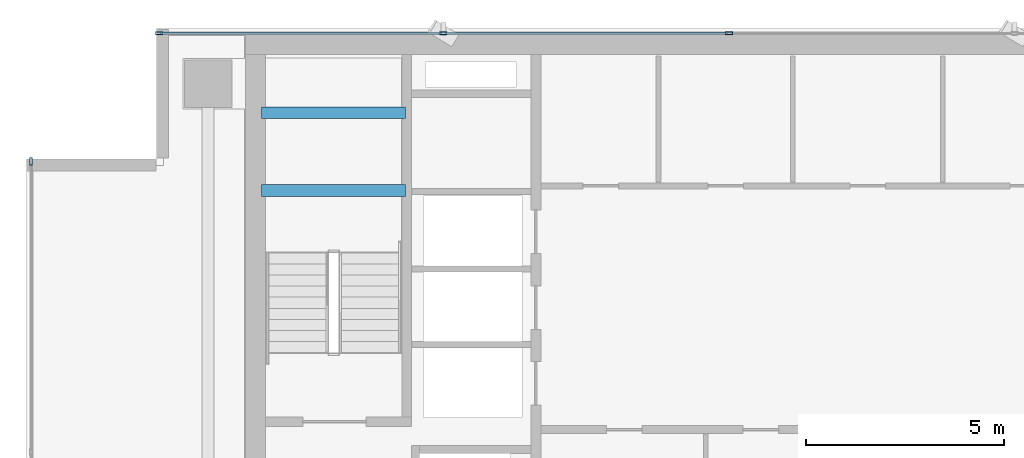
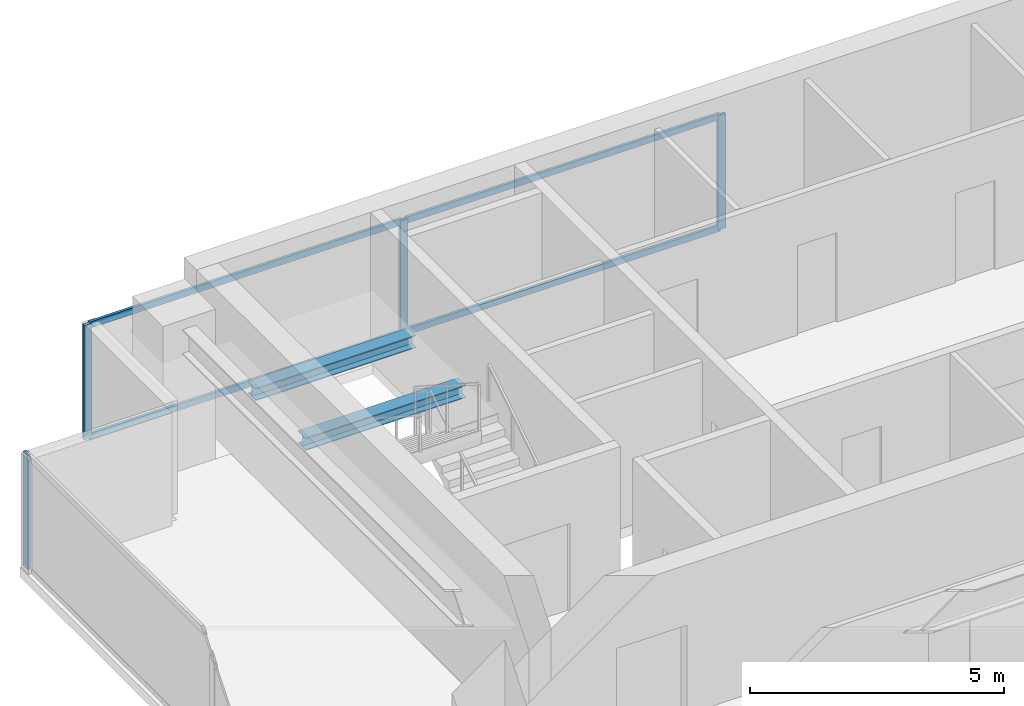
# One storey, part 12 of 23: 8 members, 2 beams, 2 elements without a shape of their own.
"""IFC4 building model written with IfcOpenShell, lengths in metres."""

import ifcopenshell
import ifcopenshell.guid

model = None  # the IFC model being written
_history = None  # IfcOwnerHistory: only IFC2X3 demands one
_inside = {}  # id of a spatial element -> (the spatial element, [elements in it])
_under = {}  # id of a project, library or spatial element -> (it, [spatial elements below it])
_declared = {}  # id of a project -> (the project, [libraries it declares])
_typed = {}  # id of a type object -> (the type object, [elements of that type])
_made_of = {}  # id of a material, layer set ... -> (it, [elements and type objects made of it])


def new_model(schema):
    """Start an empty IFC model of exactly this schema.

    Asked for "IFC4X3", IfcOpenShell would pick the latest addendum, in which some entities
    have other attributes; the version numbers below select the first issue.
    IFC2X3 requires an IfcOwnerHistory on every rooted entity: one is made here for all.
    """
    global model, _history
    if schema == "IFC4X3":
        model = ifcopenshell.file(schema_version=(4, 3, 0, 0))
    else:
        model = ifcopenshell.file(schema=schema)
    _inside.clear()
    _under.clear()
    _declared.clear()
    _typed.clear()
    _made_of.clear()
    _history = None
    if model.schema == "IFC2X3":
        org = make("IfcOrganization", Name="unknown")
        user = make(
            "IfcPersonAndOrganization",
            ThePerson=make("IfcPerson", FamilyName="unknown"),
            TheOrganization=org,
        )
        app = make(
            "IfcApplication",
            ApplicationDeveloper=org,
            Version="unknown",
            ApplicationFullName="unknown",
            ApplicationIdentifier="unknown",
        )
        _history = make(
            "IfcOwnerHistory",
            OwningUser=user,
            OwningApplication=app,
            ChangeAction="ADDED",
            CreationDate=0,
        )
    return model


def make(cls, **values):
    """One entity of the class cls with the attributes given. An attribute that is None is left unset."""
    return model.create_entity(
        cls, **{name: value for name, value in values.items() if value is not None}
    )


def rooted(cls, **values):
    """An entity with a GlobalId (a new one), such as an element, a storey or a relation."""
    return make(cls, GlobalId=ifcopenshell.guid.new(), OwnerHistory=_history, **values)


def si_unit(unit_type, name, prefix=None):
    """IfcSIUnit, for example si_unit("LENGTHUNIT", "METRE", prefix="MILLI")."""
    return make("IfcSIUnit", UnitType=unit_type, Prefix=prefix, Name=name)


def assignment(units):
    """IfcUnitAssignment: the units of a project."""
    return None if units is None else make("IfcUnitAssignment", Units=units)


def point(xyz):
    """IfcCartesianPoint."""
    return None if xyz is None else make("IfcCartesianPoint", Coordinates=xyz)


def direction(xyz):
    """IfcDirection."""
    return None if xyz is None else make("IfcDirection", DirectionRatios=xyz)


def frame(location, z_axis=None, x_axis=None):
    """IfcAxis2Placement3D, a coordinate frame: its origin and axes. An axis left out is left unset."""
    return make(
        "IfcAxis2Placement3D",
        Location=point(location),
        Axis=direction(z_axis),
        RefDirection=direction(x_axis),
    )


def frame_2d(location, x_axis=None):
    """IfcAxis2Placement2D, a coordinate frame in the plane: its origin and x axis."""
    return make(
        "IfcAxis2Placement2D", Location=point(location), RefDirection=direction(x_axis)
    )


def origin():
    """The frame at (0, 0, 0) with its axes left unset."""
    return frame((0.0, 0.0, 0.0))


def origin_2d():
    """The frame at (0, 0) in the plane with its x axis left unset."""
    return frame_2d((0.0, 0.0))


def place(relative_to, where):
    """IfcLocalPlacement: puts the frame where relative to a parent placement (None: the world)."""
    return make(
        "IfcLocalPlacement", PlacementRelTo=relative_to, RelativePlacement=where
    )


def context(
    kind, dimensions, precision=None, world=None, true_north=None, identifier=None
):
    """IfcGeometricRepresentationContext, for example the 3D "Model" context."""
    return make(
        "IfcGeometricRepresentationContext",
        ContextIdentifier=identifier,
        ContextType=kind,
        CoordinateSpaceDimension=dimensions,
        Precision=precision,
        WorldCoordinateSystem=world,
        TrueNorth=true_north,
    )


def subcontext(parent, identifier, kind, view, scale=None):
    """IfcGeometricRepresentationSubContext, for example "Body" below "Model"."""
    return make(
        "IfcGeometricRepresentationSubContext",
        ContextIdentifier=identifier,
        ContextType=kind,
        ParentContext=parent,
        TargetScale=scale,
        TargetView=view,
    )


def project(units=None, contexts=None):
    """IfcProject with its units and contexts."""
    return rooted(
        "IfcProject",
        Name="project",
        RepresentationContexts=contexts,
        UnitsInContext=assignment(units),
    )


def spatial(cls, under=None, at=None, **own):
    """A site, building, storey or space (cls), placed at a placement, below another one or the project."""
    s = rooted(cls, ObjectPlacement=at, **own)
    if under is not None:
        _under.setdefault(under.id(), (under, []))[1].append(s)
    return s


def profile(cls, at=None, kind="AREA", **sizes):
    """A parametric profile (cls). Its sizes go by their IFC names, for example OverallWidth=200.0."""
    return make(cls, ProfileType=kind, Position=at, **sizes)


def hollow_rectangle(**sizes):
    """IfcRectangleHollowProfileDef."""
    return profile("IfcRectangleHollowProfileDef", **sizes)


def i_section(**sizes):
    """IfcIShapeProfileDef."""
    return profile("IfcIShapeProfileDef", **sizes)


def extrude(swept, where, along, depth):
    """IfcExtrudedAreaSolid: the profile swept, set in the frame where, extruded along a direction by depth."""
    return make(
        "IfcExtrudedAreaSolid",
        SweptArea=swept,
        Position=where,
        ExtrudedDirection=direction(along),
        Depth=depth,
    )


def shape(context_of_items, identifier, shape_type, items):
    """IfcShapeRepresentation: the items that make up one representation, for example the "Body"."""
    return make(
        "IfcShapeRepresentation",
        ContextOfItems=context_of_items,
        RepresentationIdentifier=identifier,
        RepresentationType=shape_type,
        Items=items,
    )


def source(mapping_origin, context_of_items, identifier, shape_type, items):
    """IfcRepresentationMap: a shape defined once, which mapped items show again and again."""
    return make(
        "IfcRepresentationMap",
        MappingOrigin=mapping_origin,
        MappedRepresentation=shape(context_of_items, identifier, shape_type, items),
    )


def transform(
    local_origin,
    x_axis=None,
    y_axis=None,
    z_axis=None,
    scale=None,
    scale2=None,
    scale3=None,
    uniform=True,
):
    """IfcCartesianTransformationOperator3D, or its non-uniform kind. x_axis, y_axis, z_axis: its Axis1, 2, 3."""
    if uniform:
        return make(
            "IfcCartesianTransformationOperator3D",
            Axis1=direction(x_axis),
            Axis2=direction(y_axis),
            LocalOrigin=point(local_origin),
            Scale=scale,
            Axis3=direction(z_axis),
        )
    return make(
        "IfcCartesianTransformationOperator3DnonUniform",
        Axis1=direction(x_axis),
        Axis2=direction(y_axis),
        LocalOrigin=point(local_origin),
        Scale=scale,
        Axis3=direction(z_axis),
        Scale2=scale2,
        Scale3=scale3,
    )


def mapped(mapping_source, mapping_target):
    """IfcMappedItem: shows the shape of a source again, moved by a transform."""
    return make(
        "IfcMappedItem", MappingSource=mapping_source, MappingTarget=mapping_target
    )


def material(Name=None, Category=None):
    """IfcMaterial."""
    return make("IfcMaterial", Name=Name, Category=Category)


def layer(
    of_material, thickness, ventilated=None, Name=None, Category=None, Priority=None
):
    """IfcMaterialLayer: one layer of a wall or slab, of a material (None: an air gap)."""
    return make(
        "IfcMaterialLayer",
        Material=of_material,
        LayerThickness=thickness,
        IsVentilated=ventilated,
        Name=Name,
        Category=Category,
        Priority=Priority,
    )


def layer_set(layers, Name=None):
    """IfcMaterialLayerSet."""
    return make("IfcMaterialLayerSet", MaterialLayers=layers, LayerSetName=Name)


def material_profile(
    of_material, cross_section, Name=None, Category=None, Priority=None
):
    """IfcMaterialProfile: a cross section and its material."""
    return make(
        "IfcMaterialProfile",
        Name=Name,
        Material=of_material,
        Profile=cross_section,
        Priority=Priority,
        Category=Category,
    )


def profile_set(profiles, Name=None, composite=None):
    """IfcMaterialProfileSet."""
    return make(
        "IfcMaterialProfileSet",
        Name=Name,
        MaterialProfiles=profiles,
        CompositeProfile=composite,
    )


def made_of(thing, what):
    """Note that an element or type object is made of a material, layer set ...; save() writes the relation."""
    if what is not None:
        _made_of.setdefault(what.id(), (what, []))[1].append(thing)
    return thing


def type_object(cls, material=None, **own):
    """A type object (cls), such as IfcWallType, which elements share."""
    return made_of(rooted(cls, **own), material)


def element(
    cls,
    number,
    at=None,
    inside=None,
    cuts=None,
    type_object=None,
    material=None,
    context=None,
    identifier="Body",
    shape_type=None,
    held_by="IfcProductDefinitionShape",
    body=None,
    shapes=None,
    **own,
):
    """One element of the class cls, such as IfcWall. Its Tag is "e" and its number.

    at: its placement. inside: the storey or other place that contains it. cuts: it is an
    opening in that element (IfcRelVoidsElement). A single representation is given by context,
    identifier, shape_type and body (its items); several are given by shapes. held_by: the class
    of the entity that holds the representations. save() writes the other relations.
    """
    e = rooted(cls, Tag="e%d" % number, ObjectPlacement=at, **own)
    if body is not None:
        shapes = [shape(context, identifier, shape_type, body)]
    if shapes is not None:
        e.Representation = make(held_by, Representations=shapes)
    if inside is not None:
        _inside.setdefault(inside.id(), (inside, []))[1].append(e)
    if cuts is not None:
        rooted(
            "IfcRelVoidsElement", RelatingBuildingElement=cuts, RelatedOpeningElement=e
        )
    if type_object is not None:
        _typed.setdefault(type_object.id(), (type_object, []))[1].append(e)
    return made_of(e, material)


def aggregate(whole, parts):
    """IfcRelAggregates: a whole, such as a stair, and the parts it consists of."""
    return rooted("IfcRelAggregates", RelatingObject=whole, RelatedObjects=parts)


def save(model, path):
    """Write the relations noted so far, then the file.

    IfcRelAggregates (storeys below a building ...), IfcRelContainedInSpatialStructure (elements
    in a storey), IfcRelDefinesByType, IfcRelAssociatesMaterial and IfcRelDeclares: one each for
    every whole, place, type object, material and project.
    """
    for whole, parts in _under.values():
        aggregate(whole, parts)
    for where, things in _inside.values():
        rooted(
            "IfcRelContainedInSpatialStructure",
            RelatedElements=things,
            RelatingStructure=where,
        )
    for kind, things in _typed.values():
        rooted("IfcRelDefinesByType", RelatedObjects=things, RelatingType=kind)
    for what, things in _made_of.values():
        rooted("IfcRelAssociatesMaterial", RelatedObjects=things, RelatingMaterial=what)
    for by, libraries in _declared.values():
        rooted("IfcRelDeclares", RelatingContext=by, RelatedDefinitions=libraries)
    model.write(path)


model = new_model("IFC4")

# Units and contexts
model_context = context("Model", 3, precision=1e-05, world=origin(), true_north=direction((0.0, 1.0)))
body_context = subcontext(model_context, "Body", "Model", "MODEL_VIEW")
ifc_project = project(units=[si_unit("LENGTHUNIT", "METRE"), si_unit("AREAUNIT", "SQUARE_METRE"), si_unit("VOLUMEUNIT", "CUBIC_METRE"), si_unit("PLANEANGLEUNIT", "RADIAN"), si_unit("MASSUNIT", "GRAM", prefix="KILO")], contexts=[model_context])

# Site, building, storey
site_placement = place(None, origin())
site = spatial("IfcSite", under=ifc_project, at=site_placement, CompositionType="ELEMENT")
building_placement = place(site_placement, origin())
building = spatial("IfcBuilding", under=site, at=building_placement, Name="Sumidabori Civic Tower", CompositionType="ELEMENT")
storey_placement = place(building_placement, frame((0.0, 0.0, 275.60009765625)))
storey = spatial("IfcBuildingStorey", under=building, at=storey_placement, Name="L72", CompositionType="ELEMENT", Elevation=275.60009765625)

# Beams
ifc_material_1 = material(Name="Steel SN490", Category="steel")
ifc_material_profile_1 = material_profile(ifc_material_1, i_section(OverallWidth=0.300048828125, OverallDepth=0.300048828125, WebThickness=0.010986328125, FlangeThickness=0.01904296875, at=origin_2d()), Name="HE 300 B")
ifc_profile_set_1 = profile_set([ifc_material_profile_1], Name="Steel SN490")
beam_type = type_object("IfcBeamType", Name="BM-LDG-300", PredefinedType="BEAM", material=ifc_profile_set_1)
shared_shape_1 = source(origin(), body_context, "Body", "SweptSolid", [
    extrude(i_section(OverallWidth=0.300048828125, OverallDepth=0.300048828125, WebThickness=0.010986328125, FlangeThickness=0.01904296875, at=origin_2d()), origin(), (0.0, 0.0, 1.0), 3.64990234375),
])
for number, where, z_axis, x_axis, name in (
    (1, (-15.449951171875, 20.09765625, 1.449951171875), (1.0, 0.0, 0.0), (0.0, 1.0, 0.0), "Stair ST-1 Landing Support Beam L72-1A"),
    (2, (-15.449951171875, 22.069580078125, 1.449951171875), (1.0, 0.0, 0.0), (0.0, 1.0, 0.0), "Stair ST-1 Landing Trimmer Beam L72-1B"),
):
    element("IfcBeam", number, at=place(storey_placement, frame(where, z_axis=z_axis, x_axis=x_axis)), inside=storey, type_object=beam_type, Name=name, PredefinedType="BEAM", context=body_context, shape_type="MappedRepresentation", body=[
        mapped(shared_shape_1, transform((0.0, 0.0, 0.0), x_axis=(1.0, 0.0, 0.0), y_axis=(0.0, 1.0, 0.0), z_axis=(0.0, 0.0, 1.0), scale=1.0)),
    ])

# Curtain wall, members
ifc_material_2 = material(Name="Anodised Bronze Aluminium AW-6063-T6", Category="aluminium")
ifc_layer = layer(ifc_material_2, 0.179931640625, Name="Anodised Bronze Aluminium AW-6063-T6")
ifc_layer_set = layer_set([ifc_layer], Name="Anodised Bronze Aluminium AW-6063-T6")
curtain_wall_type = type_object("IfcCurtainWallType", Name="CW-SYS-6", PredefinedType="NOTDEFINED", material=ifc_layer_set)
curtain_wall_1_placement = place(storey_placement, origin())
curtain_wall_1 = element("IfcCurtainWall", 3, at=curtain_wall_1_placement, inside=storey, type_object=curtain_wall_type, Name="Curtain Wall CW:L72:R07", PredefinedType="NOTDEFINED")
ifc_material_profile_2 = material_profile(ifc_material_2, hollow_rectangle(XDim=0.070068359375, YDim=0.179931640625, WallThickness=0.006103515625, at=origin_2d()), Name="ALU MULLION 180x70")
ifc_profile_set_2 = profile_set([ifc_material_profile_2], Name="Anodised Bronze Aluminium AW-6063-T6")
member_type_1 = type_object("IfcMemberType", Name="CW-MUL-180", PredefinedType="MULLION", material=ifc_profile_set_2)
shared_shape_2 = source(origin(), body_context, "Body", "SweptSolid", [
    extrude(hollow_rectangle(XDim=0.070068359375, YDim=0.179931640625, WallThickness=0.006103515625, at=origin_2d()), origin(), (0.0, 0.0, 1.0), 2.75),
])
member_1_placement = place(storey_placement, frame((-3.614013671875, 24.080078125, 0.0), z_axis=(0.0, 0.0, 1.0), x_axis=(0.0, -1.0, 0.0)))
member_1 = element("IfcMember", 4, at=member_1_placement, type_object=member_type_1, Name="CW-6 mullion 4", PredefinedType="MULLION", context=body_context, shape_type="MappedRepresentation", body=[
    mapped(shared_shape_2, transform((0.0, 0.0, 0.0), x_axis=(1.0, 0.0, 0.0), y_axis=(0.0, 1.0, 0.0), z_axis=(0.0, 0.0, 1.0), scale=1.0)),
])
member_2_placement = place(storey_placement, frame((-10.842041015625, 24.080078125, 0.0), z_axis=(0.0, 0.0, 1.0), x_axis=(0.0, -1.0, 0.0)))
member_2 = element("IfcMember", 5, at=member_2_placement, type_object=member_type_1, Name="CW-6 mullion 5", PredefinedType="MULLION", context=body_context, shape_type="MappedRepresentation", body=[
    mapped(shared_shape_2, transform((0.0, 0.0, 0.0), x_axis=(1.0, 0.0, 0.0), y_axis=(0.0, 1.0, 0.0), z_axis=(0.0, 0.0, 1.0), scale=1.0)),
])
member_3_placement = place(storey_placement, frame((-18.034912109375, 24.080078125, 0.0), z_axis=(0.0, 0.0, 1.0), x_axis=(0.0, -1.0, 0.0)))
member_3 = element("IfcMember", 6, at=member_3_placement, type_object=member_type_1, Name="CW-6 mullion 6", PredefinedType="MULLION", context=body_context, shape_type="MappedRepresentation", body=[
    mapped(shared_shape_2, transform((0.0, 0.0, 0.0), x_axis=(1.0, 0.0, 0.0), y_axis=(0.0, 1.0, 0.0), z_axis=(0.0, 0.0, 1.0), scale=1.0)),
])

# Curtain wall, member
curtain_wall_2_placement = place(storey_placement, origin())
curtain_wall_2 = element("IfcCurtainWall", 7, at=curtain_wall_2_placement, inside=storey, type_object=curtain_wall_type, Name="Curtain Wall CW:L72:R10", PredefinedType="NOTDEFINED")
member_4_placement = place(storey_placement, frame((-21.280029296875, 20.8349609375, 0.0), z_axis=(0.0, 0.0, 1.0), x_axis=(1.0, 0.0, 0.0)))
member_4 = element("IfcMember", 8, at=member_4_placement, type_object=member_type_1, Name="CW-6 mullion 1", PredefinedType="MULLION", context=body_context, shape_type="MappedRepresentation", body=[
    mapped(shared_shape_2, transform((0.0, 0.0, 0.0), x_axis=(1.0, 0.0, 0.0), y_axis=(0.0, 1.0, 0.0), z_axis=(0.0, 0.0, 1.0), scale=1.0)),
])
aggregate(curtain_wall_2, [member_4])

# Member
ifc_material_profile_3 = material_profile(ifc_material_2, hollow_rectangle(XDim=0.06494140625, YDim=0.14990234375, WallThickness=0.0048828125, at=origin_2d()), Name="ALU TRANSOM 150x65")
ifc_profile_set_3 = profile_set([ifc_material_profile_3], Name="Anodised Bronze Aluminium AW-6063-T6")
member_type_2 = type_object("IfcMemberType", Name="CW-TRN-150", PredefinedType="USERDEFINED", material=ifc_profile_set_3)
shared_shape_3 = source(origin(), body_context, "Body", "SweptSolid", [
    extrude(hollow_rectangle(XDim=0.06494140625, YDim=0.14990234375, WallThickness=0.0048828125, at=origin_2d()), origin(), (0.0, 0.0, 1.0), 7.123046875),
])
member_5_placement = place(storey_placement, frame((-10.876953125, 24.080078125, 0.032470703125), z_axis=(-1.0, 0.0, 0.0), x_axis=(0.0, -1.0, 0.0)))
member_5 = element("IfcMember", 9, at=member_5_placement, type_object=member_type_2, Name="CW-6 transom 5.1", ObjectType="TRANSOM", PredefinedType="USERDEFINED", context=body_context, shape_type="MappedRepresentation", body=[
    mapped(shared_shape_3, transform((0.0, 0.0, 0.0), x_axis=(1.0, 0.0, 0.0), y_axis=(0.0, 1.0, 0.0), z_axis=(0.0, 0.0, 1.0), scale=1.0)),
])

member_6_placement = place(storey_placement, frame((-10.876953125, 24.080078125, 2.71728515625), z_axis=(-1.0, 0.0, 0.0), x_axis=(0.0, -1.0, 0.0)))
member_6 = element("IfcMember", 10, at=member_6_placement, type_object=member_type_2, Name="CW-6 transom 5.2", ObjectType="TRANSOM", PredefinedType="USERDEFINED", context=body_context, shape_type="MappedRepresentation", body=[
    mapped(shared_shape_3, transform((0.0, 0.0, 0.0), x_axis=(1.0, 0.0, 0.0), y_axis=(0.0, 1.0, 0.0), z_axis=(0.0, 0.0, 1.0), scale=1.0)),
])

shared_shape_4 = source(origin(), body_context, "Body", "SweptSolid", [
    extrude(hollow_rectangle(XDim=0.06494140625, YDim=0.14990234375, WallThickness=0.0048828125, at=origin_2d()), origin(), (0.0, 0.0, 1.0), 7.157958984375),
])
member_7_placement = place(storey_placement, frame((-3.64892578125, 24.080078125, 0.032470703125), z_axis=(-1.0, 0.0, 0.0), x_axis=(0.0, -1.0, 0.0)))
member_7 = element("IfcMember", 11, at=member_7_placement, type_object=member_type_2, Name="CW-6 transom 4.1", ObjectType="TRANSOM", PredefinedType="USERDEFINED", context=body_context, shape_type="MappedRepresentation", body=[
    mapped(shared_shape_4, transform((0.0, 0.0, 0.0), x_axis=(1.0, 0.0, 0.0), y_axis=(0.0, 1.0, 0.0), z_axis=(0.0, 0.0, 1.0), scale=1.0)),
])

member_8_placement = place(storey_placement, frame((-3.64892578125, 24.080078125, 2.71728515625), z_axis=(-1.0, 0.0, 0.0), x_axis=(0.0, -1.0, 0.0)))
member_8 = element("IfcMember", 12, at=member_8_placement, type_object=member_type_2, Name="CW-6 transom 4.2", ObjectType="TRANSOM", PredefinedType="USERDEFINED", context=body_context, shape_type="MappedRepresentation", body=[
    mapped(shared_shape_4, transform((0.0, 0.0, 0.0), x_axis=(1.0, 0.0, 0.0), y_axis=(0.0, 1.0, 0.0), z_axis=(0.0, 0.0, 1.0), scale=1.0)),
])

aggregate(curtain_wall_1, [member_1, member_2, member_3, member_7, member_8, member_5, member_6])

save(model, "model.ifc")
